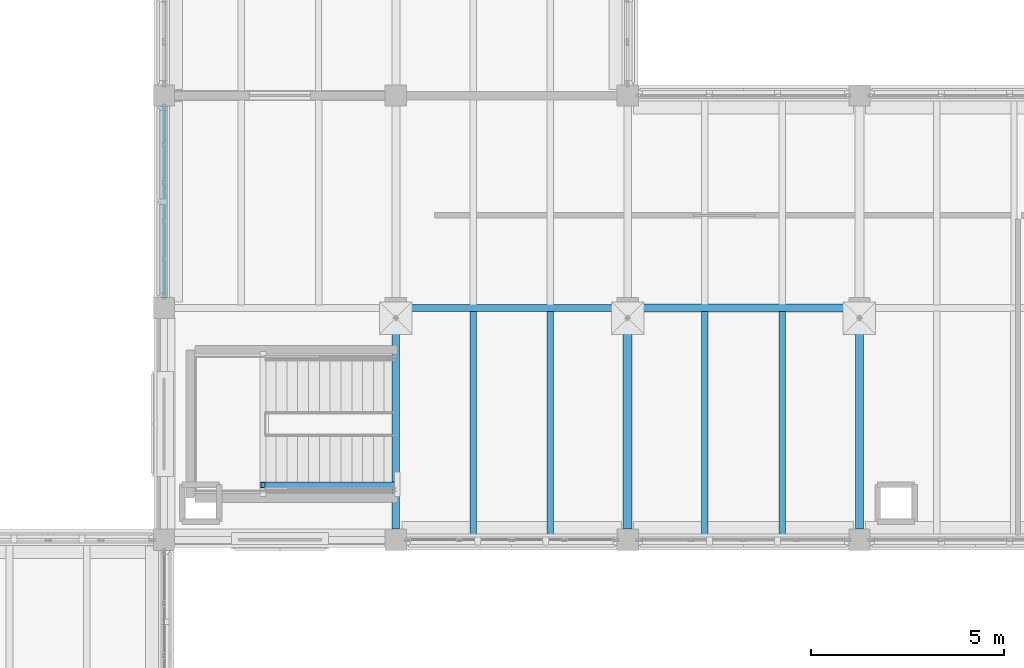
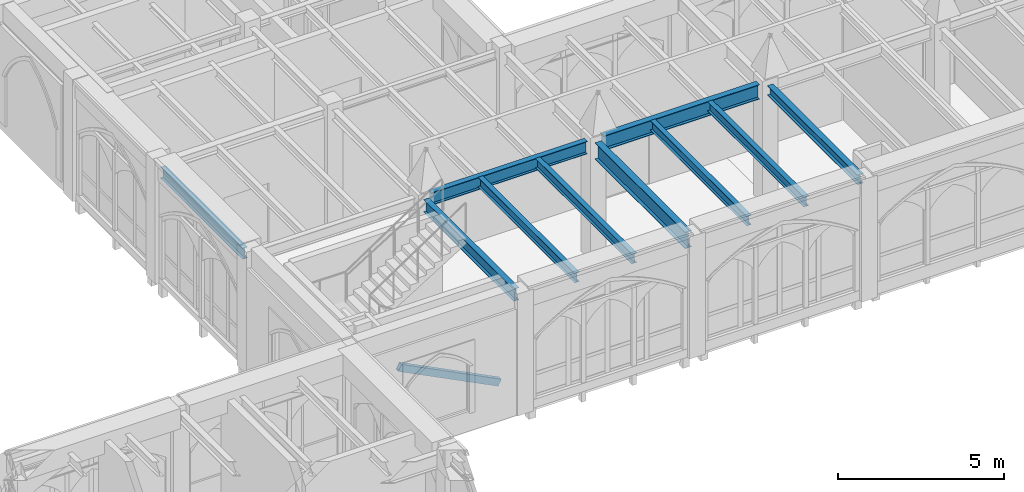
# One storey, part 17 of 108: 10 beams, 1 member.
"""IFC4 building model written with IfcOpenShell, lengths in metres."""

from ifc_helpers import new_model, si_unit, direction, frame, origin, origin_2d, place, context, subcontext, project, spatial, hollow_rectangle, i_section, extrude, material, material_profile, profile_set, type_object, element, save


model = new_model("IFC4")

# Units and contexts
model_context = context("Model", 3, precision=1e-05, world=origin(), true_north=direction((0.0, 1.0)))
body_context = subcontext(model_context, "Body", "Model", "MODEL_VIEW")
ifc_project = project(units=[si_unit("LENGTHUNIT", "METRE"), si_unit("AREAUNIT", "SQUARE_METRE"), si_unit("VOLUMEUNIT", "CUBIC_METRE"), si_unit("PLANEANGLEUNIT", "RADIAN"), si_unit("MASSUNIT", "GRAM", prefix="KILO")], contexts=[model_context])

# Site, building, storey
site_placement = place(None, origin())
site = spatial("IfcSite", under=ifc_project, at=site_placement, CompositionType="ELEMENT")
building_placement = place(site_placement, origin())
building = spatial("IfcBuilding", under=site, at=building_placement, Name="Cumevento Cable Car Station", CompositionType="ELEMENT")
storey_placement = place(building_placement, frame((0.0, 0.0, 13.5)))
storey = spatial("IfcBuildingStorey", under=building, at=storey_placement, Name="L04", CompositionType="ELEMENT", Elevation=13.5)

# Member
ifc_material_1 = material(Name="Steel ASTM A572 Grade 50", Category="steel")
ifc_material_profile_1 = material_profile(ifc_material_1, hollow_rectangle(XDim=0.14990234375, YDim=0.25, WallThickness=0.010009765625, at=origin_2d()), Name="HSS250x150x10.0")
ifc_profile_set_1 = profile_set([ifc_material_profile_1], Name="Steel ASTM A572 Grade 50")
member_type = type_object("IfcMemberType", Name="Framing Stringer SR-01 HSS250x150x10.0", PredefinedType="STRINGER", material=ifc_profile_set_1)
member_placement = place(storey_placement, frame((28.0400390625, 46.419921875, 0.139892578125), z_axis=(-0.892036448853, 0.0, 0.451963465246), x_axis=(0.0, -1.0, 0.0)))
element("IfcMember", 1, at=member_placement, inside=storey, type_object=member_type, Name="Stair Steel Stringer ST-12 #450", PredefinedType="STRINGER", context=body_context, shape_type="SweptSolid", body=[
    extrude(hollow_rectangle(XDim=0.14990234375, YDim=0.25, WallThickness=0.010009765625, at=origin_2d()), origin(), (0.0, 0.0, 1.0), 3.901123046875),
])

# Beams
ifc_material_2 = material(Name="Steel ASTM A572 Grade 50", Category="steel")
ifc_material_profile_2 = material_profile(ifc_material_2, i_section(OverallWidth=0.22802734375, OverallDepth=0.60791015625, WebThickness=0.01123046875, FlangeThickness=0.017333984375, at=origin_2d()), Name="W610x113.0")
ifc_profile_set_2 = profile_set([ifc_material_profile_2], Name="Steel ASTM A572 Grade 50")
beam_type_1 = type_object("IfcBeamType", Name="Structural Beam BM-02 W610x113.0", PredefinedType="BEAM", material=ifc_profile_set_2)
beam_1_placement = place(storey_placement, frame((34.0, 45.27490234375, 3.98388671875), z_axis=(0.0, 1.0, 0.0), x_axis=(-1.0, 0.0, 0.0)))
element("IfcBeam", 2, at=beam_1_placement, inside=storey, type_object=beam_type_1, Name="Beam BM-02 L04 #1396", PredefinedType="BEAM", context=body_context, shape_type="SweptSolid", body=[
    extrude(i_section(OverallWidth=0.22802734375, OverallDepth=0.60791015625, WebThickness=0.01123046875, FlangeThickness=0.017333984375, at=origin_2d()), origin(), (0.0, 0.0, 1.0), 5.4501953125),
])
ifc_material_3 = material(Name="Steel ASTM A572 Grade 50", Category="steel")
ifc_material_profile_3 = material_profile(ifc_material_3, i_section(OverallWidth=0.18994140625, OverallDepth=0.45703125, WebThickness=0.009033203125, FlangeThickness=0.014404296875, at=origin_2d()), Name="W460x74.0")
ifc_profile_set_3 = profile_set([ifc_material_profile_3], Name="Steel ASTM A572 Grade 50")
beam_type_2 = type_object("IfcBeamType", Name="Structural Beam BM-04 W460x74.0", PredefinedType="BEAM", material=ifc_profile_set_3)
beam_2_placement = place(storey_placement, frame((28.0, 45.27490234375, 4.0595703125), z_axis=(0.0, 1.0, 0.0), x_axis=(-1.0, 0.0, 0.0)))
element("IfcBeam", 3, at=beam_2_placement, inside=storey, type_object=beam_type_2, Name="Beam BM-04 L04 #1394", PredefinedType="BEAM", context=body_context, shape_type="SweptSolid", body=[
    extrude(i_section(OverallWidth=0.18994140625, OverallDepth=0.45703125, WebThickness=0.009033203125, FlangeThickness=0.014404296875, at=origin_2d()), origin(), (0.0, 0.0, 1.0), 5.4501953125),
])
ifc_material_4 = material(Name="Steel ASTM A572 Grade 50", Category="steel")
ifc_material_profile_4 = material_profile(ifc_material_4, i_section(OverallWidth=0.205078125, OverallDepth=0.35400390625, WebThickness=0.009521484375, FlangeThickness=0.016845703125, at=origin_2d()), Name="W360x79.0")
ifc_profile_set_4 = profile_set([ifc_material_profile_4], Name="Steel ASTM A572 Grade 50")
beam_type_3 = type_object("IfcBeamType", Name="Structural Beam BM-05 W360x79.0", PredefinedType="BEAM", material=ifc_profile_set_4)
beam_3_placement = place(storey_placement, frame((40.0, 45.27490234375, 4.111083984375), z_axis=(0.0, 1.0, 0.0), x_axis=(-1.0, 0.0, 0.0)))
element("IfcBeam", 4, at=beam_3_placement, inside=storey, type_object=beam_type_3, Name="Beam BM-05 L04 #1398", PredefinedType="BEAM", context=body_context, shape_type="SweptSolid", body=[
    extrude(i_section(OverallWidth=0.205078125, OverallDepth=0.35400390625, WebThickness=0.009521484375, FlangeThickness=0.016845703125, at=origin_2d()), origin(), (0.0, 0.0, 1.0), 5.4501953125),
])
ifc_material_5 = material(Name="Steel ASTM A572 Grade 50", Category="steel")
ifc_material_profile_5 = material_profile(ifc_material_5, i_section(OverallWidth=0.19189453125, OverallDepth=0.462890625, WebThickness=0.010498046875, FlangeThickness=0.017578125, at=origin_2d()), Name="W460x89.0")
ifc_profile_set_5 = profile_set([ifc_material_profile_5], Name="Steel ASTM A572 Grade 50")
beam_type_4 = type_object("IfcBeamType", Name="Structural Beam BM-10 W460x89.0", PredefinedType="BEAM", material=ifc_profile_set_5)
beam_4_placement = place(storey_placement, frame((28.27490234375, 51.0, 4.056396484375), z_axis=(1.0, 0.0, 0.0), x_axis=(0.0, 1.0, 0.0)))
element("IfcBeam", 5, at=beam_4_placement, inside=storey, type_object=beam_type_4, Name="Beam BM-10 L04 #1383", PredefinedType="BEAM", context=body_context, shape_type="SweptSolid", body=[
    extrude(i_section(OverallWidth=0.19189453125, OverallDepth=0.462890625, WebThickness=0.010498046875, FlangeThickness=0.017578125, at=origin_2d()), origin(), (0.0, 0.0, 1.0), 5.4501953125),
])
ifc_material_6 = material(Name="Steel ASTM A572 Grade 50", Category="steel")
ifc_material_profile_6 = material_profile(ifc_material_6, i_section(OverallWidth=0.2109375, OverallDepth=0.5390625, WebThickness=0.01171875, FlangeThickness=0.018798828125, at=origin_2d()), Name="W530x109.0")
ifc_profile_set_6 = profile_set([ifc_material_profile_6], Name="Steel ASTM A572 Grade 50")
beam_type_5 = type_object("IfcBeamType", Name="Structural Beam BM-11 W530x109.0", PredefinedType="BEAM", material=ifc_profile_set_6)
beam_5_placement = place(storey_placement, frame((34.27490234375, 51.0, 4.0185546875), z_axis=(1.0, 0.0, 0.0), x_axis=(0.0, 1.0, 0.0)))
element("IfcBeam", 6, at=beam_5_placement, inside=storey, type_object=beam_type_5, Name="Beam BM-11 L04 #1384", PredefinedType="BEAM", context=body_context, shape_type="SweptSolid", body=[
    extrude(i_section(OverallWidth=0.2109375, OverallDepth=0.5390625, WebThickness=0.01171875, FlangeThickness=0.018798828125, at=origin_2d()), origin(), (0.0, 0.0, 1.0), 5.4501953125),
])
ifc_material_7 = material(Name="Steel ASTM A572 Grade 50", Category="steel")
ifc_material_profile_7 = material_profile(ifc_material_7, i_section(OverallWidth=0.1708984375, OverallDepth=0.35498046875, WebThickness=0.007080078125, FlangeThickness=0.01171875, at=origin_2d()), Name="W360x51.0")
ifc_profile_set_7 = profile_set([ifc_material_profile_7], Name="Steel ASTM A572 Grade 50")
beam_type_6 = type_object("IfcBeamType", Name="Structural Joist JS-01 W360x51.0", PredefinedType="JOIST", material=ifc_profile_set_7)
for number, where, z_axis, x_axis, name in (
    (7, (30.0, 45.076904296875, 4.110595703125), (0.0, 1.0, 0.0), (-1.0, 0.0, 0.0), "Composite Floor Joist JS-01 L04 #1515"),
    (8, (32.0, 45.076904296875, 4.110595703125), (0.0, 1.0, 0.0), (-1.0, 0.0, 0.0), "Composite Floor Joist JS-01 L04 #1517"),
):
    element("IfcBeam", number, at=place(storey_placement, frame(where, z_axis=z_axis, x_axis=x_axis)), inside=storey, type_object=beam_type_6, Name=name, PredefinedType="JOIST", context=body_context, shape_type="SweptSolid", body=[
        extrude(i_section(OverallWidth=0.1708984375, OverallDepth=0.35498046875, WebThickness=0.007080078125, FlangeThickness=0.01171875, at=origin_2d()), origin(), (0.0, 0.0, 1.0), 5.839111328125),
    ])
for number, where, z_axis, x_axis, name in (
    (9, (36.0, 45.076904296875, 4.110595703125), (0.0, 1.0, 0.0), (-1.0, 0.0, 0.0), "Composite Floor Joist JS-01 L04 #1519"),
    (10, (38.0, 45.076904296875, 4.110595703125), (0.0, 1.0, 0.0), (-1.0, 0.0, 0.0), "Composite Floor Joist JS-01 L04 #1521"),
):
    element("IfcBeam", number, at=place(storey_placement, frame(where, z_axis=z_axis, x_axis=x_axis)), inside=storey, type_object=beam_type_6, Name=name, PredefinedType="JOIST", context=body_context, shape_type="SweptSolid", body=[
        extrude(i_section(OverallWidth=0.1708984375, OverallDepth=0.35498046875, WebThickness=0.007080078125, FlangeThickness=0.01171875, at=origin_2d()), origin(), (0.0, 0.0, 1.0), 5.82958984375),
    ])
ifc_material_8 = material(Name="Steel ASTM A572 Grade 50", Category="steel")
ifc_material_profile_8 = material_profile(ifc_material_8, i_section(OverallWidth=0.177978515625, OverallDepth=0.406982421875, WebThickness=0.0078125, FlangeThickness=0.0126953125, at=origin_2d()), Name="W410x60.0")
ifc_profile_set_8 = profile_set([ifc_material_profile_8], Name="Steel ASTM A572 Grade 50")
beam_type_7 = type_object("IfcBeamType", Name="Structural Spandrel SP-01 W410x60.0", PredefinedType="SPANDREL", material=ifc_profile_set_8)
beam_6_placement = place(storey_placement, frame((22.0, 51.27490234375, 4.04638671875), z_axis=(0.0, 1.0, 0.0), x_axis=(-1.0, 0.0, 0.0)))
element("IfcBeam", 11, at=beam_6_placement, inside=storey, type_object=beam_type_7, Name="Beam SP-01 L04 #1393", PredefinedType="SPANDREL", context=body_context, shape_type="SweptSolid", body=[
    extrude(i_section(OverallWidth=0.177978515625, OverallDepth=0.406982421875, WebThickness=0.0078125, FlangeThickness=0.0126953125, at=origin_2d()), origin(), (0.0, 0.0, 1.0), 4.9501953125),
])

save(model, "model.ifc")
